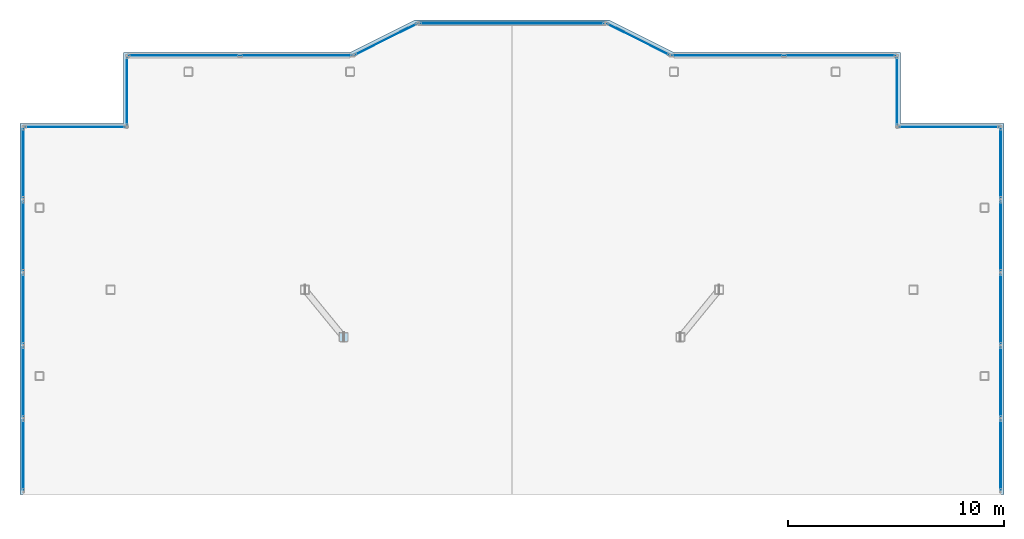
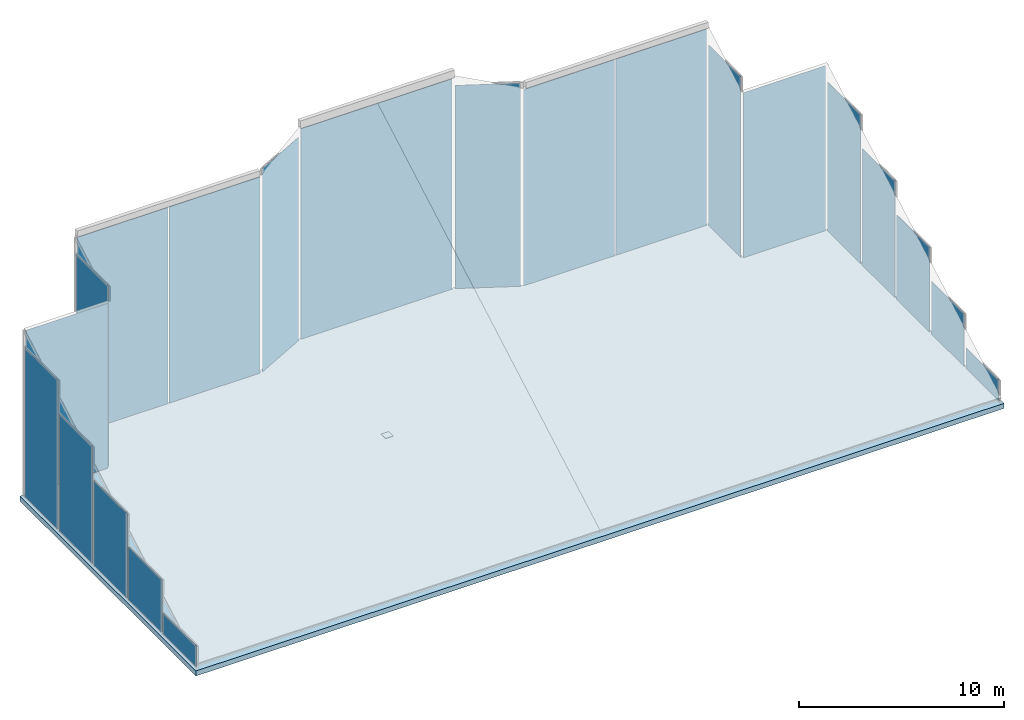
# One storey, part 8 of 11: 22 plates, 1 slab, 19 elements without a shape of their own.
"""IFC4 building model written with IfcOpenShell, lengths in metres."""

from ifc_helpers import new_model, si_unit, direction, frame, origin, origin_2d, place, context, subcontext, project, spatial, polyline, rectangle, outline, extrude, material, layer, layer_set, type_object, element, aggregate, save


model = new_model("IFC4")

# Units and contexts
model_context = context("Model", 3, precision=1e-05, world=origin(), true_north=direction((0.0, 1.0)))
body_context = subcontext(model_context, "Body", "Model", "MODEL_VIEW")
ifc_project = project(units=[si_unit("LENGTHUNIT", "METRE"), si_unit("AREAUNIT", "SQUARE_METRE"), si_unit("VOLUMEUNIT", "CUBIC_METRE"), si_unit("PLANEANGLEUNIT", "RADIAN"), si_unit("MASSUNIT", "GRAM", prefix="KILO")], contexts=[model_context])

# Site, building, storey
site_placement = place(None, origin())
site = spatial("IfcSite", under=ifc_project, at=site_placement, CompositionType="ELEMENT")
building_placement = place(site_placement, origin())
building = spatial("IfcBuilding", under=site, at=building_placement, Name="Tarnavaz Court Tower", CompositionType="ELEMENT")
storey_placement = place(building_placement, frame((0.0, 0.0, 304.050048828125)))
storey = spatial("IfcBuildingStorey", under=building, at=storey_placement, Name="C06", CompositionType="ELEMENT", Elevation=304.050048828125)

# Curtain wall, plate
ifc_material_1 = material(Name="Anodised Aluminium 6063-T6 and Solar Low-E Glazing", Category="aluminium")
ifc_layer_1 = layer(ifc_material_1, 0.2099609375)
ifc_layer_set_1 = layer_set([ifc_layer_1], Name="Anodised Aluminium 6063-T6 and Solar Low-E Glazing")
curtain_wall_type = type_object("IfcCurtainWallType", Name="CW-SYS-06", PredefinedType="NOTDEFINED", material=ifc_layer_set_1)
curtain_wall_1_placement = place(storey_placement, origin())
curtain_wall_1 = element("IfcCurtainWall", 1, at=curtain_wall_1_placement, inside=storey, type_object=curtain_wall_type, Name="C06 Slanted Crown Terracotta Curtain Wall 1", PredefinedType="NOTDEFINED")
ifc_material_2 = material(Name="Double-Glazed Solar Low-E Glass", Category="glass")
ifc_layer_2 = layer(ifc_material_2, 0.028076171875)
ifc_layer_set_2 = layer_set([ifc_layer_2], Name="Double-Glazed Solar Low-E Glass")
plate_type_1 = type_object("IfcPlateType", Name="CW-PAN-GLZ28", PredefinedType="CURTAIN_PANEL", material=ifc_layer_set_2)
plate_1_placement = place(storey_placement, frame((-20.25, 17.550048828125, 0.06494140625), z_axis=(0.0, 0.0, 1.0), x_axis=(1.0, 0.0, 0.0)))
plate_1 = element("IfcPlate", 2, at=plate_1_placement, type_object=plate_type_1, Name="CW panel 1.1", PredefinedType="CURTAIN_PANEL", context=body_context, shape_type="SweptSolid", body=[
    extrude(rectangle(XDim=4.6298828125, YDim=0.028076171875, at=origin_2d()), origin(), (0.0, 0.0, 1.0), 9.83056640625),
])
aggregate(curtain_wall_1, [plate_1])

curtain_wall_2_placement = place(storey_placement, origin())
curtain_wall_2 = element("IfcCurtainWall", 3, at=curtain_wall_2_placement, inside=storey, type_object=curtain_wall_type, Name="C06 Slanted Crown Terracotta Curtain Wall 2", PredefinedType="NOTDEFINED")
plate_2_placement = place(storey_placement, frame((-17.85009765625, 19.199951171875, 0.06494140625), z_axis=(0.0, 0.0, 1.0), x_axis=(0.0, 1.0, 0.0)))
plate_2 = element("IfcPlate", 4, at=plate_2_placement, type_object=plate_type_1, Name="CW panel 1.1", PredefinedType="CURTAIN_PANEL", context=body_context, shape_type="SweptSolid", body=[
    extrude(rectangle(XDim=3.1298828125, YDim=0.028076171875, at=origin_2d()), origin(), (0.0, 0.0, 1.0), 10.763671875),
])
aggregate(curtain_wall_2, [plate_2])

# Curtain wall, plates
curtain_wall_3_placement = place(storey_placement, origin())
curtain_wall_3 = element("IfcCurtainWall", 5, at=curtain_wall_3_placement, inside=storey, type_object=curtain_wall_type, Name="C06 Slanted Crown Terracotta Curtain Wall 3", PredefinedType="NOTDEFINED")
plate_3_placement = place(storey_placement, frame((-15.203857421875, 20.85009765625, 0.06494140625), z_axis=(0.0, 0.0, 1.0), x_axis=(1.0, 0.0, 0.0)))
plate_3 = element("IfcPlate", 6, at=plate_3_placement, type_object=plate_type_1, Name="CW panel 1.1", PredefinedType="CURTAIN_PANEL", context=body_context, shape_type="SweptSolid", body=[
    extrude(rectangle(XDim=5.12255859375, YDim=0.028076171875, at=origin_2d()), origin(), (0.0, 0.0, 1.0), 11.69677734375),
])
plate_4_placement = place(storey_placement, frame((-9.996337890625, 20.85009765625, 0.06494140625), z_axis=(0.0, 0.0, 1.0), x_axis=(1.0, 0.0, 0.0)))
plate_4 = element("IfcPlate", 7, at=plate_4_placement, type_object=plate_type_1, Name="CW panel 2.1", PredefinedType="CURTAIN_PANEL", context=body_context, shape_type="SweptSolid", body=[
    extrude(rectangle(XDim=5.12255859375, YDim=0.028076171875, at=origin_2d()), origin(), (0.0, 0.0, 1.0), 11.69677734375),
])
aggregate(curtain_wall_3, [plate_3, plate_4])

# Curtain wall, plate
curtain_wall_4_placement = place(storey_placement, origin())
curtain_wall_4 = element("IfcCurtainWall", 8, at=curtain_wall_4_placement, inside=storey, type_object=curtain_wall_type, Name="C06 Slanted Crown Terracotta Curtain Wall 4", PredefinedType="NOTDEFINED")
plate_5_placement = place(storey_placement, frame((-5.85009765625, 21.60009765625, 0.06494140625), z_axis=(0.0, 0.0, 1.0), x_axis=(0.894427191001, 0.447213595499, 0.0)))
plate_5 = element("IfcPlate", 9, at=plate_5_placement, type_object=plate_type_1, Name="CW panel 1.1", PredefinedType="CURTAIN_PANEL", context=body_context, shape_type="SweptSolid", body=[
    extrude(rectangle(XDim=3.18408203125, YDim=0.028076171875, at=origin_2d()), origin(), (0.0, 0.0, 1.0), 12.12109375),
])
aggregate(curtain_wall_4, [plate_5])

curtain_wall_5_placement = place(storey_placement, origin())
curtain_wall_5 = element("IfcCurtainWall", 10, at=curtain_wall_5_placement, inside=storey, type_object=curtain_wall_type, Name="C06 Slanted Crown Terracotta Curtain Wall 5", PredefinedType="NOTDEFINED")
plate_6_placement = place(storey_placement, frame((0.0, 22.35009765625, 0.06494140625), z_axis=(0.0, 0.0, 1.0), x_axis=(1.0, 0.0, 0.0)))
plate_6 = element("IfcPlate", 11, at=plate_6_placement, type_object=plate_type_1, Name="CW panel 1.1", PredefinedType="CURTAIN_PANEL", context=body_context, shape_type="SweptSolid", body=[
    extrude(rectangle(XDim=8.530029296875, YDim=0.028076171875, at=origin_2d()), origin(), (0.0, 0.0, 1.0), 12.545166015625),
])
aggregate(curtain_wall_5, [plate_6])

curtain_wall_6_placement = place(storey_placement, origin())
curtain_wall_6 = element("IfcCurtainWall", 12, at=curtain_wall_6_placement, inside=storey, type_object=curtain_wall_type, Name="C06 Slanted Crown Terracotta Curtain Wall 6", PredefinedType="NOTDEFINED")
plate_7_placement = place(storey_placement, frame((5.85009765625, 21.60009765625, 0.06494140625), z_axis=(0.0, 0.0, 1.0), x_axis=(0.894427191001, -0.447213595499, 0.0)))
plate_7 = element("IfcPlate", 13, at=plate_7_placement, type_object=plate_type_1, Name="CW panel 1.1", PredefinedType="CURTAIN_PANEL", context=body_context, shape_type="SweptSolid", body=[
    extrude(rectangle(XDim=3.18408203125, YDim=0.028076171875, at=origin_2d()), origin(), (0.0, 0.0, 1.0), 12.12109375),
])
aggregate(curtain_wall_6, [plate_7])

# Curtain wall, plates
curtain_wall_7_placement = place(storey_placement, origin())
curtain_wall_7 = element("IfcCurtainWall", 14, at=curtain_wall_7_placement, inside=storey, type_object=curtain_wall_type, Name="C06 Slanted Crown Terracotta Curtain Wall 7", PredefinedType="NOTDEFINED")
plate_8_placement = place(storey_placement, frame((9.996337890625, 20.85009765625, 0.06494140625), z_axis=(0.0, 0.0, 1.0), x_axis=(1.0, 0.0, 0.0)))
plate_8 = element("IfcPlate", 15, at=plate_8_placement, type_object=plate_type_1, Name="CW panel 1.1", PredefinedType="CURTAIN_PANEL", context=body_context, shape_type="SweptSolid", body=[
    extrude(rectangle(XDim=5.12255859375, YDim=0.028076171875, at=origin_2d()), origin(), (0.0, 0.0, 1.0), 11.69677734375),
])
plate_9_placement = place(storey_placement, frame((15.203857421875, 20.85009765625, 0.06494140625), z_axis=(0.0, 0.0, 1.0), x_axis=(1.0, 0.0, 0.0)))
plate_9 = element("IfcPlate", 16, at=plate_9_placement, type_object=plate_type_1, Name="CW panel 2.1", PredefinedType="CURTAIN_PANEL", context=body_context, shape_type="SweptSolid", body=[
    extrude(rectangle(XDim=5.12255859375, YDim=0.028076171875, at=origin_2d()), origin(), (0.0, 0.0, 1.0), 11.69677734375),
])
aggregate(curtain_wall_7, [plate_8, plate_9])

# Curtain wall, plate
curtain_wall_8_placement = place(storey_placement, origin())
curtain_wall_8 = element("IfcCurtainWall", 17, at=curtain_wall_8_placement, inside=storey, type_object=curtain_wall_type, Name="C06 Slanted Crown Terracotta Curtain Wall 8", PredefinedType="NOTDEFINED")
plate_10_placement = place(storey_placement, frame((17.85009765625, 19.199951171875, 0.06494140625), z_axis=(0.0, 0.0, 1.0), x_axis=(0.0, -1.0, 0.0)))
plate_10 = element("IfcPlate", 18, at=plate_10_placement, type_object=plate_type_1, Name="CW panel 1.1", PredefinedType="CURTAIN_PANEL", context=body_context, shape_type="SweptSolid", body=[
    extrude(rectangle(XDim=3.1298828125, YDim=0.028076171875, at=origin_2d()), origin(), (0.0, 0.0, 1.0), 10.763671875),
])
aggregate(curtain_wall_8, [plate_10])

curtain_wall_9_placement = place(storey_placement, origin())
curtain_wall_9 = element("IfcCurtainWall", 19, at=curtain_wall_9_placement, inside=storey, type_object=curtain_wall_type, Name="C06 Slanted Crown Terracotta Curtain Wall 9", PredefinedType="NOTDEFINED")
plate_11_placement = place(storey_placement, frame((20.25, 17.550048828125, 0.06494140625), z_axis=(0.0, 0.0, 1.0), x_axis=(1.0, 0.0, 0.0)))
plate_11 = element("IfcPlate", 20, at=plate_11_placement, type_object=plate_type_1, Name="CW panel 1.1", PredefinedType="CURTAIN_PANEL", context=body_context, shape_type="SweptSolid", body=[
    extrude(rectangle(XDim=4.6298828125, YDim=0.028076171875, at=origin_2d()), origin(), (0.0, 0.0, 1.0), 9.83056640625),
])
aggregate(curtain_wall_9, [plate_11])

curtain_wall_10_placement = place(storey_placement, origin())
curtain_wall_10 = element("IfcCurtainWall", 21, at=curtain_wall_10_placement, inside=storey, type_object=curtain_wall_type, Name="C06 Slanted Crown Terracotta Curtain Wall 10", PredefinedType="NOTDEFINED")
plate_12_placement = place(storey_placement, frame((22.64990234375, 15.860107421875, 0.06494140625), z_axis=(0.0, 0.0, 1.0), x_axis=(0.0, -1.0, 0.0)))
plate_12 = element("IfcPlate", 22, at=plate_12_placement, type_object=plate_type_1, Name="CW panel 1.1", PredefinedType="CURTAIN_PANEL", context=body_context, shape_type="SweptSolid", body=[
    extrude(rectangle(XDim=3.2099609375, YDim=0.028076171875, at=origin_2d()), origin(), (0.0, 0.0, 1.0), 8.874755859375),
])
aggregate(curtain_wall_10, [plate_12])

curtain_wall_11_placement = place(storey_placement, origin())
curtain_wall_11 = element("IfcCurtainWall", 23, at=curtain_wall_11_placement, inside=storey, type_object=curtain_wall_type, Name="C06 Slanted Crown Terracotta Curtain Wall 11", PredefinedType="NOTDEFINED")
plate_13_placement = place(storey_placement, frame((22.64990234375, 12.47998046875, 0.06494140625), z_axis=(0.0, 0.0, 1.0), x_axis=(0.0, -1.0, 0.0)))
plate_13 = element("IfcPlate", 24, at=plate_13_placement, type_object=plate_type_1, Name="CW panel 1.1", PredefinedType="CURTAIN_PANEL", context=body_context, shape_type="SweptSolid", body=[
    extrude(rectangle(XDim=3.2099609375, YDim=0.028076171875, at=origin_2d()), origin(), (0.0, 0.0, 1.0), 6.963134765625),
])
aggregate(curtain_wall_11, [plate_13])

curtain_wall_12_placement = place(storey_placement, origin())
curtain_wall_12 = element("IfcCurtainWall", 25, at=curtain_wall_12_placement, inside=storey, type_object=curtain_wall_type, Name="C06 Slanted Crown Terracotta Curtain Wall 12", PredefinedType="NOTDEFINED")
plate_14_placement = place(storey_placement, frame((22.64990234375, 9.10009765625, 0.06494140625), z_axis=(0.0, 0.0, 1.0), x_axis=(0.0, -1.0, 0.0)))
plate_14 = element("IfcPlate", 26, at=plate_14_placement, type_object=plate_type_1, Name="CW panel 1.1", PredefinedType="CURTAIN_PANEL", context=body_context, shape_type="SweptSolid", body=[
    extrude(rectangle(XDim=3.2099609375, YDim=0.028076171875, at=origin_2d()), origin(), (0.0, 0.0, 1.0), 5.051513671875),
])
aggregate(curtain_wall_12, [plate_14])

curtain_wall_13_placement = place(storey_placement, origin())
curtain_wall_13 = element("IfcCurtainWall", 27, at=curtain_wall_13_placement, inside=storey, type_object=curtain_wall_type, Name="C06 Slanted Crown Terracotta Curtain Wall 13", PredefinedType="NOTDEFINED")
plate_15_placement = place(storey_placement, frame((22.64990234375, 5.719970703125, 0.06494140625), z_axis=(0.0, 0.0, 1.0), x_axis=(0.0, -1.0, 0.0)))
plate_15 = element("IfcPlate", 28, at=plate_15_placement, type_object=plate_type_1, Name="CW panel 1.1", PredefinedType="CURTAIN_PANEL", context=body_context, shape_type="SweptSolid", body=[
    extrude(rectangle(XDim=3.2099609375, YDim=0.028076171875, at=origin_2d()), origin(), (0.0, 0.0, 1.0), 3.139892578125),
])
aggregate(curtain_wall_13, [plate_15])

curtain_wall_14_placement = place(storey_placement, origin())
curtain_wall_14 = element("IfcCurtainWall", 29, at=curtain_wall_14_placement, inside=storey, type_object=curtain_wall_type, Name="C06 Slanted Crown Terracotta Curtain Wall 14", PredefinedType="NOTDEFINED")
plate_16_placement = place(storey_placement, frame((22.64990234375, 2.340087890625, 0.06494140625), z_axis=(0.0, 0.0, 1.0), x_axis=(0.0, -1.0, 0.0)))
plate_16 = element("IfcPlate", 30, at=plate_16_placement, type_object=plate_type_1, Name="CW panel 1.1", PredefinedType="CURTAIN_PANEL", context=body_context, shape_type="SweptSolid", body=[
    extrude(rectangle(XDim=3.2099609375, YDim=0.028076171875, at=origin_2d()), origin(), (0.0, 0.0, 1.0), 1.228515625),
])
aggregate(curtain_wall_14, [plate_16])

curtain_wall_15_placement = place(storey_placement, origin())
curtain_wall_15 = element("IfcCurtainWall", 31, at=curtain_wall_15_placement, inside=storey, type_object=curtain_wall_type, Name="C06 Slanted Crown Terracotta Curtain Wall 15", PredefinedType="NOTDEFINED")
plate_17_placement = place(storey_placement, frame((-22.64990234375, 2.340087890625, 0.06494140625), z_axis=(0.0, 0.0, 1.0), x_axis=(0.0, 1.0, 0.0)))
plate_17 = element("IfcPlate", 32, at=plate_17_placement, type_object=plate_type_1, Name="CW panel 1.1", PredefinedType="CURTAIN_PANEL", context=body_context, shape_type="SweptSolid", body=[
    extrude(rectangle(XDim=3.2099609375, YDim=0.028076171875, at=origin_2d()), origin(), (0.0, 0.0, 1.0), 1.228515625),
])
aggregate(curtain_wall_15, [plate_17])

curtain_wall_16_placement = place(storey_placement, origin())
curtain_wall_16 = element("IfcCurtainWall", 33, at=curtain_wall_16_placement, inside=storey, type_object=curtain_wall_type, Name="C06 Slanted Crown Terracotta Curtain Wall 16", PredefinedType="NOTDEFINED")
plate_18_placement = place(storey_placement, frame((-22.64990234375, 5.719970703125, 0.06494140625), z_axis=(0.0, 0.0, 1.0), x_axis=(0.0, 1.0, 0.0)))
plate_18 = element("IfcPlate", 34, at=plate_18_placement, type_object=plate_type_1, Name="CW panel 1.1", PredefinedType="CURTAIN_PANEL", context=body_context, shape_type="SweptSolid", body=[
    extrude(rectangle(XDim=3.2099609375, YDim=0.028076171875, at=origin_2d()), origin(), (0.0, 0.0, 1.0), 3.139892578125),
])
aggregate(curtain_wall_16, [plate_18])

curtain_wall_17_placement = place(storey_placement, origin())
curtain_wall_17 = element("IfcCurtainWall", 35, at=curtain_wall_17_placement, inside=storey, type_object=curtain_wall_type, Name="C06 Slanted Crown Terracotta Curtain Wall 17", PredefinedType="NOTDEFINED")
plate_19_placement = place(storey_placement, frame((-22.64990234375, 9.10009765625, 0.06494140625), z_axis=(0.0, 0.0, 1.0), x_axis=(0.0, 1.0, 0.0)))
plate_19 = element("IfcPlate", 36, at=plate_19_placement, type_object=plate_type_1, Name="CW panel 1.1", PredefinedType="CURTAIN_PANEL", context=body_context, shape_type="SweptSolid", body=[
    extrude(rectangle(XDim=3.2099609375, YDim=0.028076171875, at=origin_2d()), origin(), (0.0, 0.0, 1.0), 5.051513671875),
])
aggregate(curtain_wall_17, [plate_19])

curtain_wall_18_placement = place(storey_placement, origin())
curtain_wall_18 = element("IfcCurtainWall", 37, at=curtain_wall_18_placement, inside=storey, type_object=curtain_wall_type, Name="C06 Slanted Crown Terracotta Curtain Wall 18", PredefinedType="NOTDEFINED")
plate_20_placement = place(storey_placement, frame((-22.64990234375, 12.47998046875, 0.06494140625), z_axis=(0.0, 0.0, 1.0), x_axis=(0.0, 1.0, 0.0)))
plate_20 = element("IfcPlate", 38, at=plate_20_placement, type_object=plate_type_1, Name="CW panel 1.1", PredefinedType="CURTAIN_PANEL", context=body_context, shape_type="SweptSolid", body=[
    extrude(rectangle(XDim=3.2099609375, YDim=0.028076171875, at=origin_2d()), origin(), (0.0, 0.0, 1.0), 6.963134765625),
])
aggregate(curtain_wall_18, [plate_20])

curtain_wall_19_placement = place(storey_placement, origin())
curtain_wall_19 = element("IfcCurtainWall", 39, at=curtain_wall_19_placement, inside=storey, type_object=curtain_wall_type, Name="C06 Slanted Crown Terracotta Curtain Wall 19", PredefinedType="NOTDEFINED")
plate_21_placement = place(storey_placement, frame((-22.64990234375, 15.860107421875, 0.06494140625), z_axis=(0.0, 0.0, 1.0), x_axis=(0.0, 1.0, 0.0)))
plate_21 = element("IfcPlate", 40, at=plate_21_placement, type_object=plate_type_1, Name="CW panel 1.1", PredefinedType="CURTAIN_PANEL", context=body_context, shape_type="SweptSolid", body=[
    extrude(rectangle(XDim=3.2099609375, YDim=0.028076171875, at=origin_2d()), origin(), (0.0, 0.0, 1.0), 8.874755859375),
])
aggregate(curtain_wall_19, [plate_21])

# Plate
ifc_material_3 = material(Name="Steel S355", Category="steel")
ifc_layer_3 = layer(ifc_material_3, 0.02490234375)
ifc_layer_set_3 = layer_set([ifc_layer_3], Name="Steel S355")
plate_type_2 = type_object("IfcPlateType", Name="PL-CAP-25", PredefinedType="USERDEFINED", material=ifc_layer_set_3)
plate_22_placement = place(storey_placement, frame((-7.800048828125, 7.800048828125, 4.376220703125), z_axis=(0.0, 0.0, 1.0), x_axis=(1.0, 0.0, 0.0)))
element("IfcPlate", 41, at=plate_22_placement, inside=storey, type_object=plate_type_2, Name="C06 Crown Column Top Cap Plate IW-NW", ObjectType="CAP PLATE", PredefinedType="USERDEFINED", context=body_context, shape_type="SweptSolid", body=[
    extrude(rectangle(XDim=0.419921875, YDim=0.419921875, at=origin_2d()), origin(), (0.0, 0.0, 1.0), 0.02490234375),
])

# Slab
ifc_material_4 = material(Name="Concrete C40/50", Category="concrete")
ifc_layer_4 = layer(ifc_material_4, 0.300048828125)
ifc_layer_set_4 = layer_set([ifc_layer_4], Name="Concrete C40/50")
slab_type = type_object("IfcSlabType", Name="SL-ROOF-300", PredefinedType="ROOF", material=ifc_layer_set_4)
slab_placement = place(storey_placement, frame((0.0, 0.0, -0.300048828125)))
element("IfcSlab", 42, at=slab_placement, inside=storey, type_object=slab_type, Name="C06 Structural Floor Slab", PredefinedType="ROOF", context=body_context, shape_type="SweptSolid", body=[
    extrude(outline(polyline([(-22.800048828125, 17.699951171875), (-18.0, 17.699951171875), (-18.0, 21.0), (-7.5, 21.0), (-4.5, 22.5), (4.5, 22.5), (7.5, 21.0), (18.0, 21.0), (18.0, 17.699951171875), (22.800048828125, 17.699951171875), (22.800048828125, 0.5), (-22.800048828125, 0.5), (-22.800048828125, 17.699951171875)])), origin(), (0.0, 0.0, 1.0), 0.300048828125),
])

save(model, "model.ifc")
